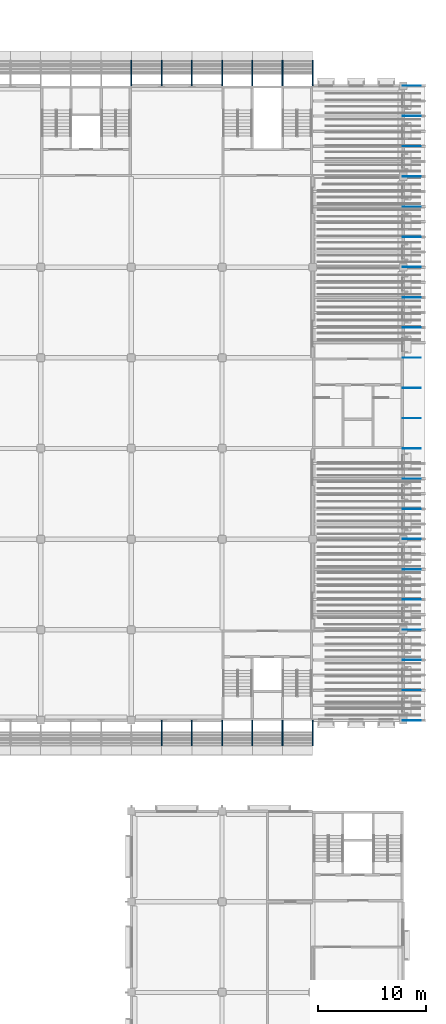
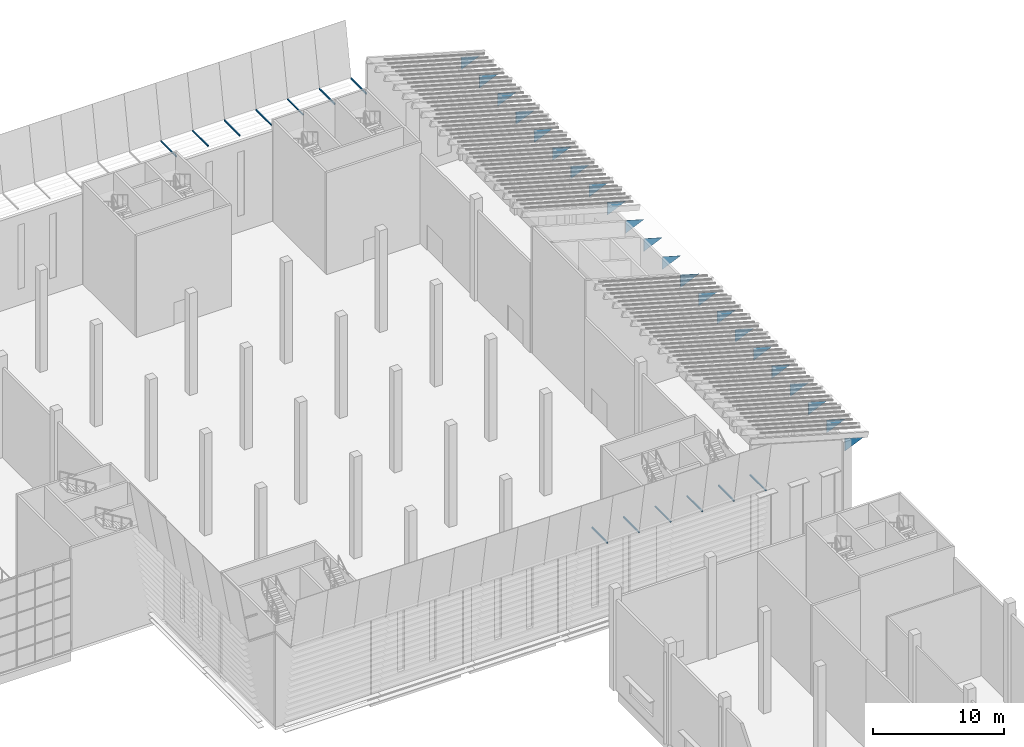
# One storey, part 61 of 114: 35 discrete accessories.
"""IFC4 building model written with IfcOpenShell, lengths in metres."""

from ifc_helpers import new_model, si_unit, direction, frame, origin, origin_2d, place, context, subcontext, project, spatial, polyline, rectangle, outline, extrude, material, type_object, element, save


model = new_model("IFC4")

# Units and contexts
model_context = context("Model", 3, precision=1e-05, world=origin(), true_north=direction((0.0, 1.0)))
body_context = subcontext(model_context, "Body", "Model", "MODEL_VIEW")
ifc_project = project(units=[si_unit("LENGTHUNIT", "METRE"), si_unit("AREAUNIT", "SQUARE_METRE"), si_unit("VOLUMEUNIT", "CUBIC_METRE"), si_unit("PLANEANGLEUNIT", "RADIAN"), si_unit("MASSUNIT", "GRAM", prefix="KILO")], contexts=[model_context])

# Site, building, storey
site_placement = place(None, origin())
site = spatial("IfcSite", under=ifc_project, at=site_placement, CompositionType="ELEMENT")
building_placement = place(site_placement, origin())
building = spatial("IfcBuilding", under=site, at=building_placement, Name="Almond Square Museum", CompositionType="ELEMENT")
storey_placement = place(building_placement, frame((0.0, 0.0, 10.5)))
storey = spatial("IfcBuildingStorey", under=building, at=storey_placement, Name="L02", CompositionType="ELEMENT", Elevation=10.5)

# Discrete accessories
ifc_material_1 = material(Name="Structural steel S355", Category="steel")
discrete_accessory_type_1 = type_object("IfcDiscreteAccessoryType", Name="Eave knee bracket", PredefinedType="BRACKET", material=ifc_material_1)
for number, where, z_axis, x_axis, name in (
    (1, (157.159912109375, 50.39990234375, 9.3974609375), (0.0, -1.0, 0.0), (0.0, 0.0, -1.0), "Eave knee bracket E.157.1"),
    (2, (157.159912109375, 53.199951171875, 9.3974609375), (0.0, -1.0, 0.0), (0.0, 0.0, -1.0), "Eave knee bracket E.157.2"),
    (3, (157.159912109375, 56.0, 9.3974609375), (0.0, -1.0, 0.0), (0.0, 0.0, -1.0), "Eave knee bracket E.157.3"),
    (4, (157.159912109375, 58.800048828125, 9.3974609375), (0.0, -1.0, 0.0), (0.0, 0.0, -1.0), "Eave knee bracket E.157.4"),
    (5, (157.159912109375, 61.60009765625, 9.3974609375), (0.0, -1.0, 0.0), (0.0, 0.0, -1.0), "Eave knee bracket E.157.5"),
    (6, (157.159912109375, 64.39990234375, 9.3974609375), (0.0, -1.0, 0.0), (0.0, 0.0, -1.0), "Eave knee bracket E.157.6"),
    (7, (157.159912109375, 67.199951171875, 9.3974609375), (0.0, -1.0, 0.0), (0.0, 0.0, -1.0), "Eave knee bracket E.157.7"),
    (8, (157.159912109375, 70.0, 9.3974609375), (0.0, -1.0, 0.0), (0.0, 0.0, -1.0), "Eave knee bracket E.157.8"),
    (9, (157.159912109375, 72.800048828125, 9.3974609375), (0.0, -1.0, 0.0), (0.0, 0.0, -1.0), "Eave knee bracket E.157.9"),
    (10, (157.159912109375, 75.60009765625, 9.3974609375), (0.0, -1.0, 0.0), (0.0, 0.0, -1.0), "Eave knee bracket E.157.10"),
    (11, (157.159912109375, 78.39990234375, 9.3974609375), (0.0, -1.0, 0.0), (0.0, 0.0, -1.0), "Eave knee bracket E.157.11"),
    (12, (157.159912109375, 81.199951171875, 9.3974609375), (0.0, -1.0, 0.0), (0.0, 0.0, -1.0), "Eave knee bracket E.157.12"),
    (13, (157.159912109375, 84.0, 9.3974609375), (0.0, -1.0, 0.0), (0.0, 0.0, -1.0), "Eave knee bracket E.157.13"),
    (14, (157.159912109375, 86.800048828125, 9.3974609375), (0.0, -1.0, 0.0), (0.0, 0.0, -1.0), "Eave knee bracket E.157.14"),
    (15, (157.159912109375, 89.60009765625, 9.3974609375), (0.0, -1.0, 0.0), (0.0, 0.0, -1.0), "Eave knee bracket E.157.15"),
    (16, (157.159912109375, 92.39990234375, 9.3974609375), (0.0, -1.0, 0.0), (0.0, 0.0, -1.0), "Eave knee bracket E.157.16"),
    (17, (157.159912109375, 95.199951171875, 9.3974609375), (0.0, -1.0, 0.0), (0.0, 0.0, -1.0), "Eave knee bracket E.157.17"),
    (18, (157.159912109375, 98.0, 9.3974609375), (0.0, -1.0, 0.0), (0.0, 0.0, -1.0), "Eave knee bracket E.157.18"),
    (19, (157.159912109375, 100.800048828125, 9.3974609375), (0.0, -1.0, 0.0), (0.0, 0.0, -1.0), "Eave knee bracket E.157.19"),
    (20, (157.159912109375, 103.60009765625, 9.3974609375), (0.0, -1.0, 0.0), (0.0, 0.0, -1.0), "Eave knee bracket E.157.20"),
    (21, (157.159912109375, 106.39990234375, 9.3974609375), (0.0, -1.0, 0.0), (0.0, 0.0, -1.0), "Eave knee bracket E.157.21"),
    (22, (157.159912109375, 109.199951171875, 9.3974609375), (0.0, -1.0, 0.0), (0.0, 0.0, -1.0), "Eave knee bracket E.157.22"),
):
    element("IfcDiscreteAccessory", number, at=place(storey_placement, frame(where, z_axis=z_axis, x_axis=x_axis)), inside=storey, type_object=discrete_accessory_type_1, Name=name, PredefinedType="BRACKET", context=body_context, shape_type="SweptSolid", body=[
        extrude(outline(polyline([(0.0, 0.0), (1.199951171875, 0.0), (0.46875, 1.64013671875), (0.0, 0.0)])), frame((0.0, 0.0, -0.01513671875)), (0.0, 0.0, 1.0), 0.030029296875),
    ])
ifc_material_2 = material(Name="Stainless steel", Category="steel")
discrete_accessory_type_2 = type_object("IfcDiscreteAccessoryType", Name="Louvre post bracket", PredefinedType="BRACKET", material=ifc_material_2)
for number, where, z_axis, x_axis, name in (
    (23, (134.800048828125, 49.21728515625, 8.83984375), (0.0, 0.0, 1.0), (1.0, 0.0, 0.0), "Bracket louvre post"),
    (24, (137.60009765625, 49.21728515625, 8.83984375), (0.0, 0.0, 1.0), (1.0, 0.0, 0.0), "Bracket louvre post"),
    (25, (140.39990234375, 49.21728515625, 8.83984375), (0.0, 0.0, 1.0), (1.0, 0.0, 0.0), "Bracket louvre post"),
    (26, (143.199951171875, 49.21728515625, 8.83984375), (0.0, 0.0, 1.0), (1.0, 0.0, 0.0), "Bracket louvre post"),
    (27, (146.0, 49.21728515625, 8.83984375), (0.0, 0.0, 1.0), (1.0, 0.0, 0.0), "Bracket louvre post"),
    (28, (148.800048828125, 49.21728515625, 8.83984375), (0.0, 0.0, 1.0), (1.0, 0.0, 0.0), "Bracket louvre post"),
    (29, (132.0, 110.3828125, 8.83984375), (0.0, 0.0, 1.0), (1.0, 0.0, 0.0), "Bracket louvre post"),
    (30, (134.800048828125, 110.3828125, 8.83984375), (0.0, 0.0, 1.0), (1.0, 0.0, 0.0), "Bracket louvre post"),
    (31, (137.60009765625, 110.3828125, 8.83984375), (0.0, 0.0, 1.0), (1.0, 0.0, 0.0), "Bracket louvre post"),
    (32, (140.39990234375, 110.3828125, 8.83984375), (0.0, 0.0, 1.0), (1.0, 0.0, 0.0), "Bracket louvre post"),
    (33, (143.199951171875, 110.3828125, 8.83984375), (0.0, 0.0, 1.0), (1.0, 0.0, 0.0), "Bracket louvre post"),
    (34, (146.0, 110.3828125, 8.83984375), (0.0, 0.0, 1.0), (1.0, 0.0, 0.0), "Bracket louvre post"),
    (35, (148.800048828125, 110.3828125, 8.83984375), (0.0, 0.0, 1.0), (1.0, 0.0, 0.0), "Bracket louvre post"),
):
    element("IfcDiscreteAccessory", number, at=place(storey_placement, frame(where, z_axis=z_axis, x_axis=x_axis)), inside=storey, type_object=discrete_accessory_type_2, Name=name, PredefinedType="BRACKET", context=body_context, shape_type="SweptSolid", body=[
        extrude(rectangle(XDim=0.10009765625, YDim=2.369384765625, at=origin_2d()), origin(), (0.0, 0.0, 1.0), 0.1201171875),
    ])

save(model, "model.ifc")
